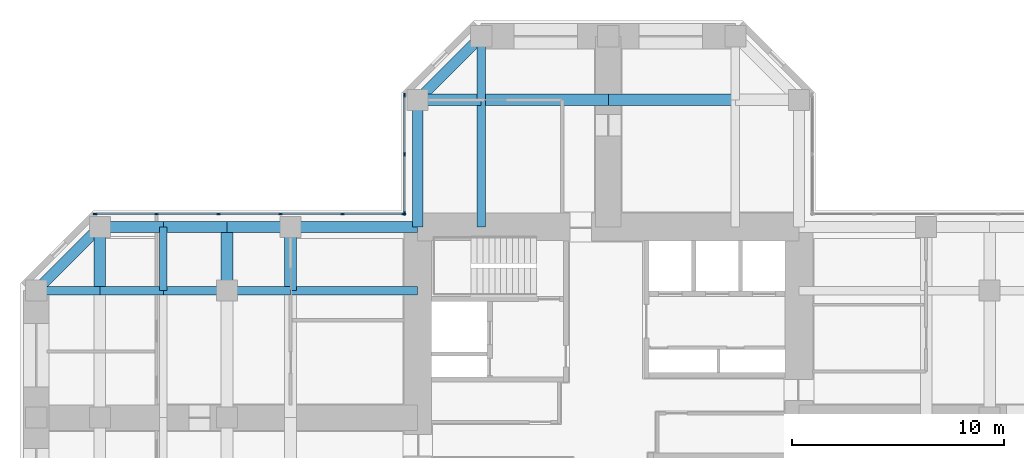
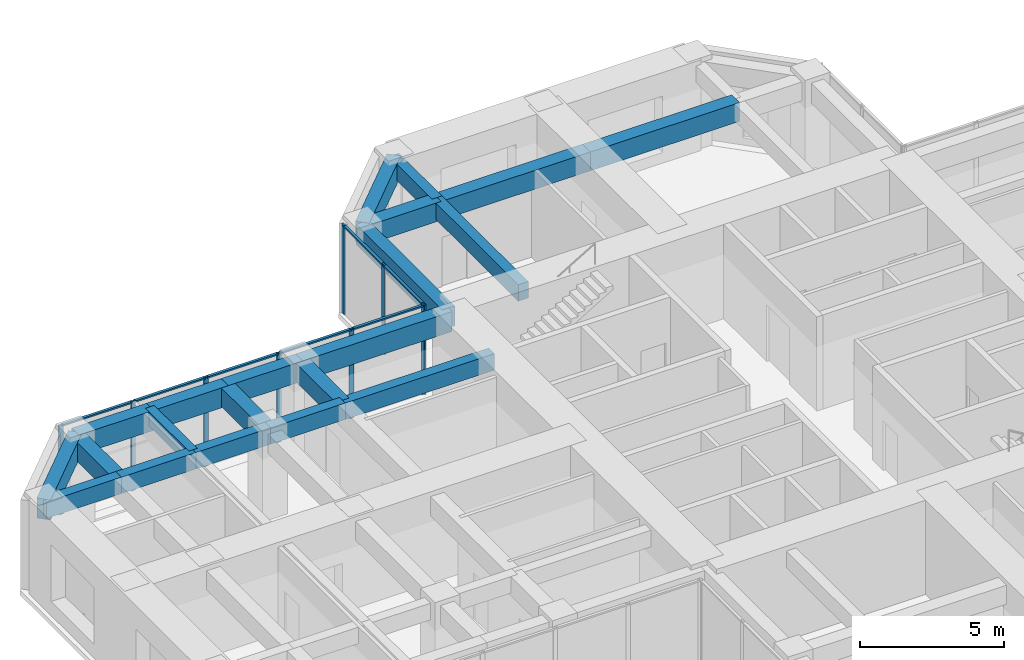
# One storey, part 5 of 13: 21 beams, 16 members, 2 elements without a shape of their own.
"""IFC4 building model written with IfcOpenShell, lengths in metres."""

from ifc_helpers import new_model, si_unit, direction, frame, origin, origin_2d, place, context, subcontext, project, spatial, rectangle, extrude, material, material_profile, profile_set, type_object, element, aggregate, save


model = new_model("IFC4")

# Units and contexts
model_context = context("Model", 3, precision=1e-05, world=origin(), true_north=direction((0.0, 1.0)))
body_context = subcontext(model_context, "Body", "Model", "MODEL_VIEW")
ifc_project = project(units=[si_unit("LENGTHUNIT", "METRE"), si_unit("AREAUNIT", "SQUARE_METRE"), si_unit("VOLUMEUNIT", "CUBIC_METRE"), si_unit("PLANEANGLEUNIT", "RADIAN"), si_unit("MASSUNIT", "GRAM", prefix="KILO")], contexts=[model_context])

# Site, building, storey
site_placement = place(None, origin())
site = spatial("IfcSite", under=ifc_project, at=site_placement, CompositionType="ELEMENT")
building_placement = place(site_placement, origin())
building = spatial("IfcBuilding", under=site, at=building_placement, Name="Torre Cruceta", CompositionType="ELEMENT")
storey_placement = place(building_placement, frame((0.0, 0.0, 132.5)))
storey = spatial("IfcBuildingStorey", under=building, at=storey_placement, Name="L32", CompositionType="ELEMENT", Elevation=132.5)

# Beams
ifc_material_1 = material(Name="Concrete G60 (fck 60 MPa)", Category="concrete")
ifc_material_profile_1 = material_profile(ifc_material_1, rectangle(XDim=0.39990234375, YDim=0.699951171875, at=origin_2d()), Name="RC 400X700")
ifc_profile_set_1 = profile_set([ifc_material_profile_1], Name="Concrete G60 (fck 60 MPa)")
beam_type_1 = type_object("IfcBeamType", Name="COLUMN LINE BEAM RC 400X700", PredefinedType="BEAM", material=ifc_profile_set_1)
beam_1_placement = place(storey_placement, frame((-6.0, 9.0, 3.449951171875), z_axis=(0.0, 1.0, 0.0), x_axis=(-1.0, 0.0, 0.0)))
element("IfcBeam", 1, at=beam_1_placement, inside=storey, type_object=beam_type_1, Name="LB5 L32 N col+ 1", PredefinedType="BEAM", context=body_context, shape_type="SweptSolid", body=[
    extrude(rectangle(XDim=0.39990234375, YDim=0.699951171875, at=origin_2d()), origin(), (0.0, 0.0, 1.0), 6.0),
])
beam_2_placement = place(storey_placement, frame((-6.0, 15.0, 3.449951171875), z_axis=(0.0, 1.0, 0.0), x_axis=(-1.0, 0.0, 0.0)))
element("IfcBeam", 2, at=beam_2_placement, inside=storey, type_object=beam_type_1, Name="LB5 L32 N col+ 2", PredefinedType="BEAM", context=body_context, shape_type="SweptSolid", body=[
    extrude(rectangle(XDim=0.39990234375, YDim=0.699951171875, at=origin_2d()), origin(), (0.0, 0.0, 1.0), 3.0),
])
beam_3_placement = place(storey_placement, frame((-9.0, 6.0, 3.449951171875), z_axis=(-1.0, 0.0, 0.0), x_axis=(0.0, -1.0, 0.0)))
element("IfcBeam", 3, at=beam_3_placement, inside=storey, type_object=beam_type_1, Name="LB5 L32 W col- 1", PredefinedType="BEAM", context=body_context, shape_type="SweptSolid", body=[
    extrude(rectangle(XDim=0.39990234375, YDim=0.699951171875, at=origin_2d()), origin(), (0.0, 0.0, 1.0), 6.0),
])
for number, where, z_axis, x_axis, name in (
    (4, (-15.0, 6.0, 3.449951171875), (-1.0, 0.0, 0.0), (0.0, -1.0, 0.0), "LB5 L32 W col- 2"),
    (5, (-18.0, 6.0, 3.449951171875), (-1.0, 0.0, 0.0), (0.0, -1.0, 0.0), "LB5 L32 W col- 3"),
    (6, (-21.0, 6.0, 3.449951171875), (-1.0, 0.0, 0.0), (0.0, -1.0, 0.0), "LB5 L32 W col- 4"),
    (7, (-24.0, 6.0, 3.449951171875), (-1.0, 0.0, 0.0), (0.0, -1.0, 0.0), "LB5 L32 W col- 5"),
):
    element("IfcBeam", number, at=place(storey_placement, frame(where, z_axis=z_axis, x_axis=x_axis)), inside=storey, type_object=beam_type_1, Name=name, PredefinedType="BEAM", context=body_context, shape_type="SweptSolid", body=[
        extrude(rectangle(XDim=0.39990234375, YDim=0.699951171875, at=origin_2d()), origin(), (0.0, 0.0, 1.0), 3.0),
    ])
ifc_material_2 = material(Name="Concrete G60 (fck 60 MPa)", Category="concrete")
ifc_material_profile_2 = material_profile(ifc_material_2, rectangle(XDim=0.550048828125, YDim=0.800048828125, at=origin_2d()), Name="RC 550X800")
ifc_profile_set_2 = profile_set([ifc_material_profile_2], Name="Concrete G60 (fck 60 MPa)")
beam_type_2 = type_object("IfcBeamType", Name="CROSS BEAM RC 550X800", PredefinedType="BEAM", material=ifc_profile_set_2)
for number, where, z_axis, x_axis, name in (
    (8, (6.0, 15.0, 3.39990234375), (-1.0, 0.0, 0.0), (0.0, -1.0, 0.0), "GB5 L32 N cross15 2"),
    (9, (0.0, 15.0, 3.39990234375), (-1.0, 0.0, 0.0), (0.0, -1.0, 0.0), "GB5 L32 N cross15 3"),
):
    element("IfcBeam", number, at=place(storey_placement, frame(where, z_axis=z_axis, x_axis=x_axis)), inside=storey, type_object=beam_type_2, Name=name, PredefinedType="BEAM", context=body_context, shape_type="SweptSolid", body=[
        extrude(rectangle(XDim=0.550048828125, YDim=0.800048828125, at=origin_2d()), origin(), (0.0, 0.0, 1.0), 6.0),
    ])
for number, where, z_axis, x_axis, name in (
    (10, (-6.0, 15.0, 3.39990234375), (-1.0, 0.0, 0.0), (0.0, -1.0, 0.0), "GB5 L32 N cross15 4"),
    (11, (-15.0, 9.0, 3.39990234375), (0.0, -1.0, 0.0), (1.0, 0.0, 0.0), "GB5 L32 W cross15 1"),
    (12, (-18.0, 9.0, 3.39990234375), (0.0, -1.0, 0.0), (1.0, 0.0, 0.0), "GB5 L32 W cross18 1"),
    (13, (-24.0, 9.0, 3.39990234375), (0.0, -1.0, 0.0), (1.0, 0.0, 0.0), "GB5 L32 W cross24 1"),
):
    element("IfcBeam", number, at=place(storey_placement, frame(where, z_axis=z_axis, x_axis=x_axis)), inside=storey, type_object=beam_type_2, Name=name, PredefinedType="BEAM", context=body_context, shape_type="SweptSolid", body=[
        extrude(rectangle(XDim=0.550048828125, YDim=0.800048828125, at=origin_2d()), origin(), (0.0, 0.0, 1.0), 3.0),
    ])

# Curtain wall, members
ifc_material_3 = material(Name="Aluminium unitised curtain wall", Category="aluminium")
curtain_wall_type = type_object("IfcCurtainWallType", Name="CURTAIN WALL CW-B OFFICE MID RISE", PredefinedType="USERDEFINED", material=ifc_material_3)
curtain_wall_1_placement = place(storey_placement, origin())
curtain_wall_1 = element("IfcCurtainWall", 14, at=curtain_wall_1_placement, inside=storey, type_object=curtain_wall_type, Name="CW-B L32 N side 09", ObjectType="UNITISED", PredefinedType="USERDEFINED")
ifc_material_4 = material(Name="Aluminium mullion", Category="aluminium")
ifc_material_profile_3 = material_profile(ifc_material_4, rectangle(XDim=0.06494140625, YDim=0.179931640625, at=origin_2d()), Name="AL 65X180")
ifc_profile_set_3 = profile_set([ifc_material_profile_3], Name="Aluminium mullion")
member_type_1 = type_object("IfcMemberType", Name="CW-B MULLION 65X180", PredefinedType="MULLION", material=ifc_profile_set_3)
member_1_placement = place(storey_placement, frame((-9.6201171875, 15.224365234375, 0.0), z_axis=(0.0, 0.0, 1.0), x_axis=(1.0, 0.0, 0.0)))
member_1 = element("IfcMember", 15, at=member_1_placement, type_object=member_type_1, Name="CW-B mullion 1", PredefinedType="MULLION", context=body_context, shape_type="SweptSolid", body=[
    extrude(rectangle(XDim=0.06494140625, YDim=0.179931640625, at=origin_2d()), origin(), (0.0, 0.0, 1.0), 3.800048828125),
])
member_2_placement = place(storey_placement, frame((-9.6201171875, 12.4384765625, 0.0), z_axis=(0.0, 0.0, 1.0), x_axis=(1.0, 0.0, 0.0)))
member_2 = element("IfcMember", 16, at=member_2_placement, type_object=member_type_1, Name="CW-B mullion 2", PredefinedType="MULLION", context=body_context, shape_type="SweptSolid", body=[
    extrude(rectangle(XDim=0.06494140625, YDim=0.179931640625, at=origin_2d()), origin(), (0.0, 0.0, 1.0), 3.800048828125),
])
member_3_placement = place(storey_placement, frame((-9.6201171875, 9.652587890625, 0.0), z_axis=(0.0, 0.0, 1.0), x_axis=(1.0, 0.0, 0.0)))
member_3 = element("IfcMember", 17, at=member_3_placement, type_object=member_type_1, Name="CW-B mullion 3", PredefinedType="MULLION", context=body_context, shape_type="SweptSolid", body=[
    extrude(rectangle(XDim=0.06494140625, YDim=0.179931640625, at=origin_2d()), origin(), (0.0, 0.0, 1.0), 3.800048828125),
])

curtain_wall_2_placement = place(storey_placement, origin())
curtain_wall_2 = element("IfcCurtainWall", 18, at=curtain_wall_2_placement, inside=storey, type_object=curtain_wall_type, Name="CW-B L32 W side 10", ObjectType="UNITISED", PredefinedType="USERDEFINED")
member_4_placement = place(storey_placement, frame((-9.652587890625, 9.6201171875, 0.0), z_axis=(0.0, 0.0, 1.0), x_axis=(0.0, -1.0, 0.0)))
member_4 = element("IfcMember", 19, at=member_4_placement, type_object=member_type_1, Name="CW-B mullion 1", PredefinedType="MULLION", context=body_context, shape_type="SweptSolid", body=[
    extrude(rectangle(XDim=0.06494140625, YDim=0.179931640625, at=origin_2d()), origin(), (0.0, 0.0, 1.0), 3.800048828125),
])
member_5_placement = place(storey_placement, frame((-12.54736328125, 9.6201171875, 0.0), z_axis=(0.0, 0.0, 1.0), x_axis=(0.0, -1.0, 0.0)))
member_5 = element("IfcMember", 20, at=member_5_placement, type_object=member_type_1, Name="CW-B mullion 2", PredefinedType="MULLION", context=body_context, shape_type="SweptSolid", body=[
    extrude(rectangle(XDim=0.06494140625, YDim=0.179931640625, at=origin_2d()), origin(), (0.0, 0.0, 1.0), 3.800048828125),
])
member_6_placement = place(storey_placement, frame((-15.474609375, 9.6201171875, 0.0), z_axis=(0.0, 0.0, 1.0), x_axis=(0.0, -1.0, 0.0)))
member_6 = element("IfcMember", 21, at=member_6_placement, type_object=member_type_1, Name="CW-B mullion 3", PredefinedType="MULLION", context=body_context, shape_type="SweptSolid", body=[
    extrude(rectangle(XDim=0.06494140625, YDim=0.179931640625, at=origin_2d()), origin(), (0.0, 0.0, 1.0), 3.800048828125),
])
member_7_placement = place(storey_placement, frame((-18.402099609375, 9.6201171875, 0.0), z_axis=(0.0, 0.0, 1.0), x_axis=(0.0, -1.0, 0.0)))
member_7 = element("IfcMember", 22, at=member_7_placement, type_object=member_type_1, Name="CW-B mullion 4", PredefinedType="MULLION", context=body_context, shape_type="SweptSolid", body=[
    extrude(rectangle(XDim=0.06494140625, YDim=0.179931640625, at=origin_2d()), origin(), (0.0, 0.0, 1.0), 3.800048828125),
])
member_8_placement = place(storey_placement, frame((-21.329345703125, 9.6201171875, 0.0), z_axis=(0.0, 0.0, 1.0), x_axis=(0.0, -1.0, 0.0)))
member_8 = element("IfcMember", 23, at=member_8_placement, type_object=member_type_1, Name="CW-B mullion 5", PredefinedType="MULLION", context=body_context, shape_type="SweptSolid", body=[
    extrude(rectangle(XDim=0.06494140625, YDim=0.179931640625, at=origin_2d()), origin(), (0.0, 0.0, 1.0), 3.800048828125),
])
member_9_placement = place(storey_placement, frame((-24.224365234375, 9.6201171875, 0.0), z_axis=(0.0, 0.0, 1.0), x_axis=(0.0, -1.0, 0.0)))
member_9 = element("IfcMember", 24, at=member_9_placement, type_object=member_type_1, Name="CW-B mullion 6", PredefinedType="MULLION", context=body_context, shape_type="SweptSolid", body=[
    extrude(rectangle(XDim=0.06494140625, YDim=0.179931640625, at=origin_2d()), origin(), (0.0, 0.0, 1.0), 3.800048828125),
])

# Member
ifc_material_5 = material(Name="Aluminium transom", Category="aluminium")
ifc_material_profile_4 = material_profile(ifc_material_5, rectangle(XDim=0.110107421875, YDim=0.06494140625, at=origin_2d()), Name="AL 110X65")
ifc_profile_set_4 = profile_set([ifc_material_profile_4], Name="Aluminium transom")
member_type_2 = type_object("IfcMemberType", Name="CW-B TRANSOM 65X110", PredefinedType="USERDEFINED", material=ifc_profile_set_4)
member_10_placement = place(storey_placement, frame((-9.6201171875, 15.19189453125, 3.767578125), z_axis=(0.0, -1.0, 0.0), x_axis=(1.0, 0.0, 0.0)))
member_10 = element("IfcMember", 25, at=member_10_placement, type_object=member_type_2, Name="CW-B transom 1", ObjectType="TRANSOM", PredefinedType="USERDEFINED", context=body_context, shape_type="SweptSolid", body=[
    extrude(rectangle(XDim=0.110107421875, YDim=0.06494140625, at=origin_2d()), origin(), (0.0, 0.0, 1.0), 2.720947265625),
])

member_11_placement = place(storey_placement, frame((-9.6201171875, 12.406005859375, 3.767578125), z_axis=(0.0, -1.0, 0.0), x_axis=(1.0, 0.0, 0.0)))
member_11 = element("IfcMember", 26, at=member_11_placement, type_object=member_type_2, Name="CW-B transom 2", ObjectType="TRANSOM", PredefinedType="USERDEFINED", context=body_context, shape_type="SweptSolid", body=[
    extrude(rectangle(XDim=0.110107421875, YDim=0.06494140625, at=origin_2d()), origin(), (0.0, 0.0, 1.0), 2.720947265625),
])

aggregate(curtain_wall_1, [member_1, member_2, member_3, member_10, member_11])

member_12_placement = place(storey_placement, frame((-9.68505859375, 9.6201171875, 3.767578125), z_axis=(-1.0, 0.0, 0.0), x_axis=(0.0, -1.0, 0.0)))
member_12 = element("IfcMember", 27, at=member_12_placement, type_object=member_type_2, Name="CW-B transom 1", ObjectType="TRANSOM", PredefinedType="USERDEFINED", context=body_context, shape_type="SweptSolid", body=[
    extrude(rectangle(XDim=0.110107421875, YDim=0.06494140625, at=origin_2d()), origin(), (0.0, 0.0, 1.0), 2.829833984375),
])

member_13_placement = place(storey_placement, frame((-12.579833984375, 9.6201171875, 3.767578125), z_axis=(-1.0, 0.0, 0.0), x_axis=(0.0, -1.0, 0.0)))
member_13 = element("IfcMember", 28, at=member_13_placement, type_object=member_type_2, Name="CW-B transom 2", ObjectType="TRANSOM", PredefinedType="USERDEFINED", context=body_context, shape_type="SweptSolid", body=[
    extrude(rectangle(XDim=0.110107421875, YDim=0.06494140625, at=origin_2d()), origin(), (0.0, 0.0, 1.0), 2.8623046875),
])

member_14_placement = place(storey_placement, frame((-15.50732421875, 9.6201171875, 3.767578125), z_axis=(-1.0, 0.0, 0.0), x_axis=(0.0, -1.0, 0.0)))
member_14 = element("IfcMember", 29, at=member_14_placement, type_object=member_type_2, Name="CW-B transom 3", ObjectType="TRANSOM", PredefinedType="USERDEFINED", context=body_context, shape_type="SweptSolid", body=[
    extrude(rectangle(XDim=0.110107421875, YDim=0.06494140625, at=origin_2d()), origin(), (0.0, 0.0, 1.0), 2.8623046875),
])

member_15_placement = place(storey_placement, frame((-18.4345703125, 9.6201171875, 3.767578125), z_axis=(-1.0, 0.0, 0.0), x_axis=(0.0, -1.0, 0.0)))
member_15 = element("IfcMember", 30, at=member_15_placement, type_object=member_type_2, Name="CW-B transom 4", ObjectType="TRANSOM", PredefinedType="USERDEFINED", context=body_context, shape_type="SweptSolid", body=[
    extrude(rectangle(XDim=0.110107421875, YDim=0.06494140625, at=origin_2d()), origin(), (0.0, 0.0, 1.0), 2.8623046875),
])

member_16_placement = place(storey_placement, frame((-21.362060546875, 9.6201171875, 3.767578125), z_axis=(-1.0, 0.0, 0.0), x_axis=(0.0, -1.0, 0.0)))
member_16 = element("IfcMember", 31, at=member_16_placement, type_object=member_type_2, Name="CW-B transom 5", ObjectType="TRANSOM", PredefinedType="USERDEFINED", context=body_context, shape_type="SweptSolid", body=[
    extrude(rectangle(XDim=0.110107421875, YDim=0.06494140625, at=origin_2d()), origin(), (0.0, 0.0, 1.0), 2.829833984375),
])

aggregate(curtain_wall_2, [member_4, member_5, member_6, member_7, member_8, member_9, member_12, member_13, member_14, member_15, member_16])

# Beams
ifc_material_6 = material(Name="Concrete G60 (fck 60 MPa)", Category="concrete")
ifc_material_profile_5 = material_profile(ifc_material_6, rectangle(XDim=0.35009765625, YDim=0.60009765625, at=origin_2d()), Name="RC 350X600")
ifc_profile_set_5 = profile_set([ifc_material_profile_5], Name="Concrete G60 (fck 60 MPa)")
beam_type_3 = type_object("IfcBeamType", Name="SECONDARY BEAM RC 350X600", PredefinedType="JOIST", material=ifc_profile_set_5)
beam_4_placement = place(storey_placement, frame((-21.0, 9.0, 3.5), z_axis=(0.0, -1.0, 0.0), x_axis=(1.0, 0.0, 0.0)))
element("IfcBeam", 32, at=beam_4_placement, inside=storey, type_object=beam_type_3, Name="JB5 L32 W sec21 1", PredefinedType="JOIST", context=body_context, shape_type="SweptSolid", body=[
    extrude(rectangle(XDim=0.35009765625, YDim=0.60009765625, at=origin_2d()), origin(), (0.0, 0.0, 1.0), 3.0),
])
ifc_material_7 = material(Name="Concrete G60 (fck 60 MPa)", Category="concrete")
ifc_material_profile_6 = material_profile(ifc_material_7, rectangle(XDim=0.5, YDim=0.85009765625, at=origin_2d()), Name="RC 500X850")
ifc_profile_set_6 = profile_set([ifc_material_profile_6], Name="Concrete G60 (fck 60 MPa)")
beam_type_4 = type_object("IfcBeamType", Name="SPANDREL BEAM RC 500X850", PredefinedType="SPANDREL", material=ifc_profile_set_6)
beam_5_placement = place(storey_placement, frame((-9.0, 9.0, 3.375), z_axis=(0.0, 1.0, 0.0), x_axis=(-1.0, 0.0, 0.0)))
element("IfcBeam", 33, at=beam_5_placement, inside=storey, type_object=beam_type_4, Name="SB5 L32 N side+ 1", PredefinedType="SPANDREL", context=body_context, shape_type="SweptSolid", body=[
    extrude(rectangle(XDim=0.5, YDim=0.85009765625, at=origin_2d()), origin(), (0.0, 0.0, 1.0), 6.0),
])
beam_6_placement = place(storey_placement, frame((-9.0, 15.0, 3.375), z_axis=(0.707106781187, 0.707106781187, 0.0), x_axis=(-0.707106781187, 0.707106781187, 0.0)))
element("IfcBeam", 34, at=beam_6_placement, inside=storey, type_object=beam_type_4, Name="SB5 L32 N side+ 2", PredefinedType="SPANDREL", context=body_context, shape_type="SweptSolid", body=[
    extrude(rectangle(XDim=0.5, YDim=0.85009765625, at=origin_2d()), origin(), (0.0, 0.0, 1.0), 4.24267578125),
])
beam_7_placement = place(storey_placement, frame((-9.0, 9.0, 3.375), z_axis=(-1.0, 0.0, 0.0), x_axis=(0.0, -1.0, 0.0)))
element("IfcBeam", 35, at=beam_7_placement, inside=storey, type_object=beam_type_4, Name="SB5 L32 W side- 1", PredefinedType="SPANDREL", context=body_context, shape_type="SweptSolid", body=[
    extrude(rectangle(XDim=0.5, YDim=0.85009765625, at=origin_2d()), origin(), (0.0, 0.0, 1.0), 6.0),
])
for number, where, z_axis, x_axis, name in (
    (36, (-15.0, 9.0, 3.375), (-1.0, 0.0, 0.0), (0.0, -1.0, 0.0), "SB5 L32 W side- 2"),
    (37, (-18.0, 9.0, 3.375), (-1.0, 0.0, 0.0), (0.0, -1.0, 0.0), "SB5 L32 W side- 3"),
    (38, (-21.0, 9.0, 3.375), (-1.0, 0.0, 0.0), (0.0, -1.0, 0.0), "SB5 L32 W side- 4"),
):
    element("IfcBeam", number, at=place(storey_placement, frame(where, z_axis=z_axis, x_axis=x_axis)), inside=storey, type_object=beam_type_4, Name=name, PredefinedType="SPANDREL", context=body_context, shape_type="SweptSolid", body=[
        extrude(rectangle(XDim=0.5, YDim=0.85009765625, at=origin_2d()), origin(), (0.0, 0.0, 1.0), 3.0),
    ])
beam_8_placement = place(storey_placement, frame((-24.0, 9.0, 3.375), z_axis=(-0.707106781187, -0.707106781187, 0.0), x_axis=(0.707106781187, -0.707106781187, 0.0)))
element("IfcBeam", 39, at=beam_8_placement, inside=storey, type_object=beam_type_4, Name="SB5 L32 W side- 5", PredefinedType="SPANDREL", context=body_context, shape_type="SweptSolid", body=[
    extrude(rectangle(XDim=0.5, YDim=0.85009765625, at=origin_2d()), origin(), (0.0, 0.0, 1.0), 4.24267578125),
])

save(model, "model.ifc")
